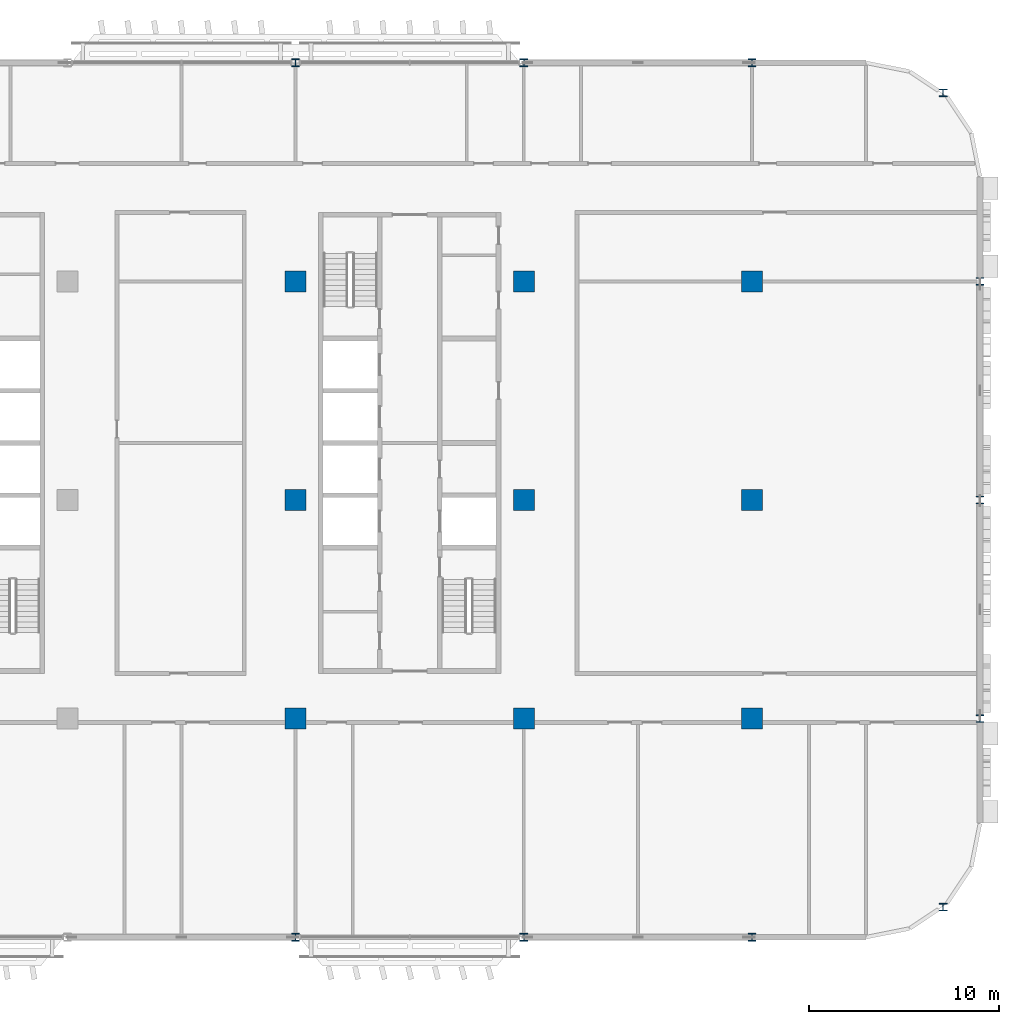
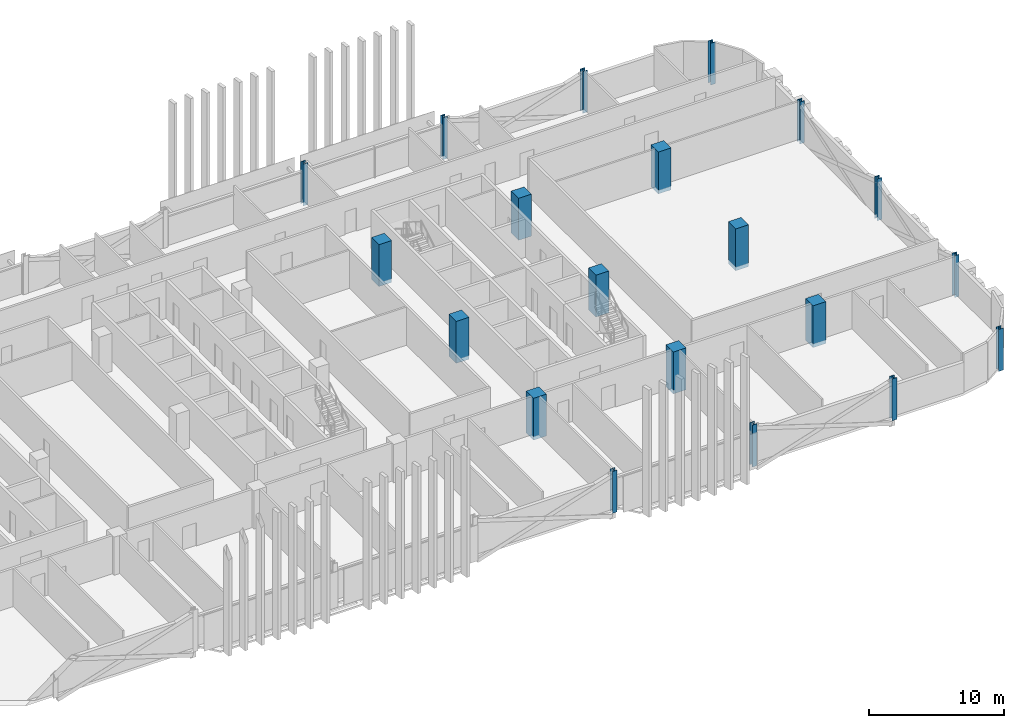
# One storey, part 2 of 28: 20 columns.
"""IFC4 building model written with IfcOpenShell, lengths in metres."""

from ifc_helpers import new_model, si_unit, direction, frame, origin, origin_2d, place, context, subcontext, project, spatial, rectangle, i_section, extrude, material, material_profile, profile_set, type_object, element, save


model = new_model("IFC4")

# Units and contexts
model_context = context("Model", 3, precision=1e-05, world=origin(), true_north=direction((0.0, 1.0)))
body_context = subcontext(model_context, "Body", "Model", "MODEL_VIEW")
ifc_project = project(units=[si_unit("LENGTHUNIT", "METRE"), si_unit("AREAUNIT", "SQUARE_METRE"), si_unit("VOLUMEUNIT", "CUBIC_METRE"), si_unit("PLANEANGLEUNIT", "RADIAN"), si_unit("MASSUNIT", "GRAM", prefix="KILO")], contexts=[model_context])

# Site, building, storey
site_placement = place(None, origin())
site = spatial("IfcSite", under=ifc_project, at=site_placement, CompositionType="ELEMENT")
building_placement = place(site_placement, origin())
building = spatial("IfcBuilding", under=site, at=building_placement, Name="Mahtab Terrace Research Tower", CompositionType="ELEMENT")
storey_placement = place(building_placement, frame((0.0, 0.0, 193.89990234375)))
storey = spatial("IfcBuildingStorey", under=building, at=storey_placement, Name="L46", CompositionType="ELEMENT", Elevation=193.89990234375)

# Columns
ifc_material_1 = material(Name="Concrete C70/85", Category="concrete")
ifc_material_profile_1 = material_profile(ifc_material_1, rectangle(XDim=1.10009765625, YDim=1.10009765625, at=origin_2d()), Name="RC column 1100x1100")
ifc_profile_set_1 = profile_set([ifc_material_profile_1], Name="Concrete C70/85")
column_type_1 = type_object("IfcColumnType", Name="RC column 1100x1100", PredefinedType="COLUMN", material=ifc_profile_set_1)
for number, where, z_axis, x_axis, name in (
    (1, (18.0, -11.5, -0.33984375), (0.0, 0.0, 1.0), (1.0, 0.0, 0.0), "Column RC-6A L46"),
    (2, (18.0, 0.0, -0.33984375), (0.0, 0.0, 1.0), (1.0, 0.0, 0.0), "Column RC-6B L46"),
    (3, (18.0, 11.5, -0.33984375), (0.0, 0.0, 1.0), (1.0, 0.0, 0.0), "Column RC-6C L46"),
    (4, (30.0, -11.5, -0.33984375), (0.0, 0.0, 1.0), (1.0, 0.0, 0.0), "Column RC-7A L46"),
    (5, (30.0, 0.0, -0.33984375), (0.0, 0.0, 1.0), (1.0, 0.0, 0.0), "Column RC-7B L46"),
    (6, (30.0, 11.5, -0.33984375), (0.0, 0.0, 1.0), (1.0, 0.0, 0.0), "Column RC-7C L46"),
    (7, (42.0, -11.5, -0.33984375), (0.0, 0.0, 1.0), (1.0, 0.0, 0.0), "Column RC-8A L46"),
    (8, (42.0, 0.0, -0.33984375), (0.0, 0.0, 1.0), (1.0, 0.0, 0.0), "Column RC-8B L46"),
    (9, (42.0, 11.5, -0.33984375), (0.0, 0.0, 1.0), (1.0, 0.0, 0.0), "Column RC-8C L46"),
):
    element("IfcColumn", number, at=place(storey_placement, frame(where, z_axis=z_axis, x_axis=x_axis)), inside=storey, type_object=column_type_1, Name=name, PredefinedType="COLUMN", context=body_context, shape_type="SweptSolid", body=[
        extrude(rectangle(XDim=1.10009765625, YDim=1.10009765625, at=origin_2d()), origin(), (0.0, 0.0, 1.0), 3.800048828125),
    ])
ifc_material_2 = material(Name="Steel ASTM A992 Gr 50", Category="steel")
ifc_material_profile_2 = material_profile(ifc_material_2, i_section(OverallWidth=0.4013671875, OverallDepth=0.398681640625, WebThickness=0.02490234375, FlangeThickness=0.03955078125, at=origin_2d()), Name="W14X211")
ifc_profile_set_2 = profile_set([ifc_material_profile_2], Name="Steel ASTM A992 Gr 50")
column_type_2 = type_object("IfcColumnType", Name="W14x211 column CS14211", PredefinedType="COLUMN", material=ifc_profile_set_2)
for number, where, z_axis, x_axis, name in (
    (10, (52.06201171875, 21.416015625, -0.33984375), (0.0, 0.0, 1.0), (1.0, 0.0, 0.0), "Column SC-023 L46"),
    (11, (42.0, 23.0, -0.33984375), (0.0, 0.0, 1.0), (1.0, 0.0, 0.0), "Column SC-001 L46"),
    (12, (30.0, 23.0, -0.33984375), (0.0, 0.0, 1.0), (1.0, 0.0, 0.0), "Column SC-002 L46"),
    (13, (18.0, 23.0, -0.33984375), (0.0, 0.0, 1.0), (1.0, 0.0, 0.0), "Column SC-003 L46"),
    (14, (18.0, -23.0, -0.33984375), (0.0, 0.0, 1.0), (1.0, 0.0, 0.0), "Column SC-017 L46"),
    (15, (30.0, -23.0, -0.33984375), (0.0, 0.0, 1.0), (1.0, 0.0, 0.0), "Column SC-018 L46"),
    (16, (42.0, -23.0, -0.33984375), (0.0, 0.0, 1.0), (1.0, 0.0, 0.0), "Column SC-019 L46"),
    (17, (52.06201171875, -21.416015625, -0.33984375), (0.0, 0.0, 1.0), (1.0, 0.0, 0.0), "Column SC-026 L46"),
    (18, (54.0, -11.5, -0.33984375), (0.0, 0.0, 1.0), (1.0, 0.0, 0.0), "Column SC-027 L46"),
    (19, (54.0, 0.0, -0.33984375), (0.0, 0.0, 1.0), (1.0, 0.0, 0.0), "Column SC-028 L46"),
    (20, (54.0, 11.5, -0.33984375), (0.0, 0.0, 1.0), (1.0, 0.0, 0.0), "Column SC-029 L46"),
):
    element("IfcColumn", number, at=place(storey_placement, frame(where, z_axis=z_axis, x_axis=x_axis)), inside=storey, type_object=column_type_2, Name=name, PredefinedType="COLUMN", context=body_context, shape_type="SweptSolid", body=[
        extrude(i_section(OverallWidth=0.4013671875, OverallDepth=0.398681640625, WebThickness=0.02490234375, FlangeThickness=0.03955078125, at=origin_2d()), origin(), (0.0, 0.0, 1.0), 3.800048828125),
    ])

save(model, "model.ifc")
